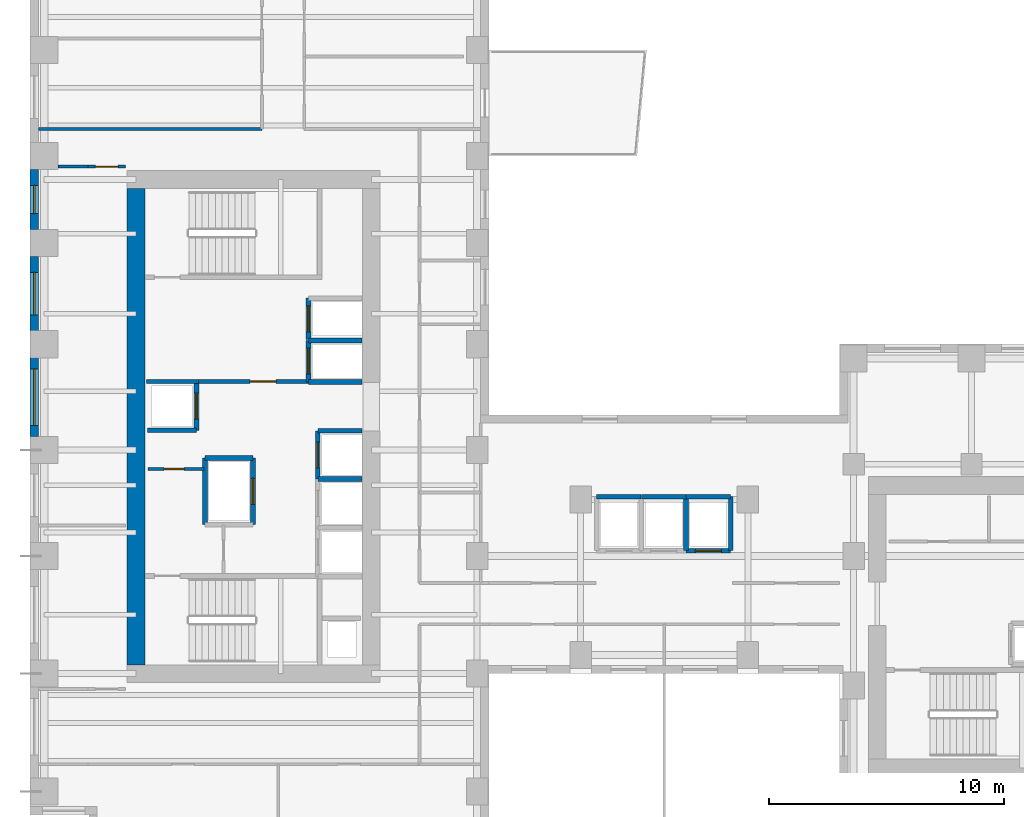
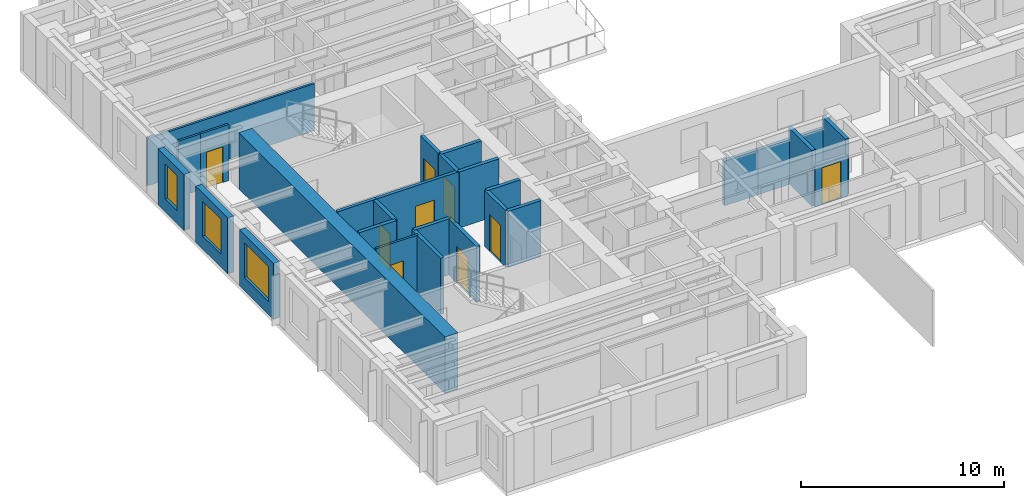
# One storey, part 5 of 11: 28 walls, 9 doors, 3 windows, 12 openings.
"""IFC4 building model written with IfcOpenShell, lengths in metres."""

from ifc_helpers import new_model, si_unit, direction, frame, frame_2d, origin, place, context, subcontext, project, spatial, rectangle, extrude, source, transform, mapped, material, layer, layer_set, type_object, element, fill, save


model = new_model("IFC4")

# Units and contexts
model_context = context("Model", 3, precision=1e-05, world=origin(), true_north=direction((0.0, 1.0)))
body_context = subcontext(model_context, "Body", "Model", "MODEL_VIEW")
ifc_project = project(units=[si_unit("LENGTHUNIT", "METRE"), si_unit("AREAUNIT", "SQUARE_METRE"), si_unit("VOLUMEUNIT", "CUBIC_METRE"), si_unit("PLANEANGLEUNIT", "RADIAN"), si_unit("MASSUNIT", "GRAM", prefix="KILO")], contexts=[model_context])

# Site, building, storey
site_placement = place(None, origin())
site = spatial("IfcSite", under=ifc_project, at=site_placement, CompositionType="ELEMENT")
building_placement = place(site_placement, origin())
building = spatial("IfcBuilding", under=site, at=building_placement, Name="Kharzan Plaza Tower", CompositionType="ELEMENT")
storey_placement = place(building_placement, frame((0.0, 0.0, 127.800048828125)))
storey = spatial("IfcBuildingStorey", under=building, at=storey_placement, Name="L34", CompositionType="ELEMENT", Elevation=127.800048828125)

# Wall, opening, window
ifc_material_1 = material(Name="Concrete C40/50", Category="concrete")
ifc_layer_1 = layer(ifc_material_1, 0.35009765625)
ifc_layer_set_1 = layer_set([ifc_layer_1], Name="Concrete C40/50")
wall_type_1 = type_object("IfcWallType", Name="WL-EXT-MAS-Z2", PredefinedType="SOLIDWALL", material=ifc_layer_set_1)
wall_1_placement = place(storey_placement, frame((0.175048828125, 29.927001953125, 0.0), z_axis=(0.0, 0.0, 1.0), x_axis=(0.0, -1.0, 0.0)))
wall_1 = element("IfcWall", 1, at=wall_1_placement, inside=storey, type_object=wall_type_1, Name="L34 Masonry-Frame Exterior Wall 20", PredefinedType="SOLIDWALL", context=body_context, shape_type="SweptSolid", body=[
    extrude(rectangle(XDim=2.553955078125, YDim=0.35009765625, at=frame_2d((1.27685546875, 0.0))), origin(), (0.0, 0.0, 1.0), 3.364990234375),
])
opening_1_placement = place(wall_1_placement, frame((0.677001953125, 0.0, 0.780029296875)))
opening_1 = element("IfcOpeningElement", 2, at=opening_1_placement, cuts=wall_1, Name="Opening W3", PredefinedType="OPENING", context=body_context, shape_type="SweptSolid", body=[
    extrude(rectangle(XDim=1.199951171875, YDim=2.10009765625, at=frame_2d((0.60009765625, 1.050048828125))), frame((0.0, 0.18505859375, 0.0), z_axis=(0.0, -1.0, 0.0), x_axis=(1.0, 0.0, 0.0)), (0.0, 0.0, 1.0), 0.3701171875),
])
ifc_material_2 = material(Name="Low-E Double Glazing", Category="glass")
window_type_1 = type_object("IfcWindowType", Name="WN-REC-1200x2100", PartitioningType="SINGLE_PANEL", PredefinedType="WINDOW", material=ifc_material_2)
shared_shape_1 = source(origin(), body_context, "Body", "SweptSolid", [
    extrude(rectangle(XDim=1.199951171875, YDim=2.10009765625, at=frame_2d((0.60009765625, 1.050048828125))), frame((0.0, 0.030029296875, 0.0), z_axis=(0.0, -1.0, 0.0), x_axis=(1.0, 0.0, 0.0)), (0.0, 0.0, 1.0), 0.06005859375),
])
window_1_placement = place(opening_1_placement, origin())
window_1 = element("IfcWindow", 3, at=window_1_placement, inside=storey, type_object=window_type_1, Name="L34 Recessed Solar-Control Window 20-1", OverallHeight=2.10009765625, OverallWidth=1.199951171875, PartitioningType="SINGLE_PANEL", PredefinedType="WINDOW", context=body_context, shape_type="MappedRepresentation", body=[
    mapped(shared_shape_1, transform((0.0, 0.0, 0.0), x_axis=(1.0, 0.0, 0.0), y_axis=(0.0, 1.0, 0.0), z_axis=(0.0, 0.0, 1.0))),
])
fill(opening_1, window_1)

wall_2_placement = place(storey_placement, frame((0.175048828125, 26.22705078125, 0.0), z_axis=(0.0, 0.0, 1.0), x_axis=(0.0, -1.0, 0.0)))
wall_2 = element("IfcWall", 4, at=wall_2_placement, inside=storey, type_object=wall_type_1, Name="L34 Masonry-Frame Exterior Wall 21", PredefinedType="SOLIDWALL", context=body_context, shape_type="SweptSolid", body=[
    extrude(rectangle(XDim=3.154052734375, YDim=0.35009765625, at=frame_2d((1.5771484375, 0.0))), origin(), (0.0, 0.0, 1.0), 3.364990234375),
])
opening_2_placement = place(wall_2_placement, frame((0.677001953125, 0.0, 0.780029296875)))
opening_2 = element("IfcOpeningElement", 5, at=opening_2_placement, cuts=wall_2, Name="Opening W1", PredefinedType="OPENING", context=body_context, shape_type="SweptSolid", body=[
    extrude(rectangle(XDim=1.800048828125, YDim=2.10009765625, at=frame_2d((0.89990234375, 1.050048828125))), frame((0.0, 0.18505859375, 0.0), z_axis=(0.0, -1.0, 0.0), x_axis=(1.0, 0.0, 0.0)), (0.0, 0.0, 1.0), 0.3701171875),
])
window_type_2 = type_object("IfcWindowType", Name="WN-REC-1800x2100", PartitioningType="SINGLE_PANEL", PredefinedType="WINDOW", material=ifc_material_2)
shared_shape_2 = source(origin(), body_context, "Body", "SweptSolid", [
    extrude(rectangle(XDim=1.800048828125, YDim=2.10009765625, at=frame_2d((0.89990234375, 1.050048828125))), frame((0.0, 0.030029296875, 0.0), z_axis=(0.0, -1.0, 0.0), x_axis=(1.0, 0.0, 0.0)), (0.0, 0.0, 1.0), 0.06005859375),
])
window_2_placement = place(opening_2_placement, origin())
window_2 = element("IfcWindow", 6, at=window_2_placement, inside=storey, type_object=window_type_2, Name="L34 Recessed Solar-Control Window 21-1", OverallHeight=2.10009765625, OverallWidth=1.800048828125, PartitioningType="SINGLE_PANEL", PredefinedType="WINDOW", context=body_context, shape_type="MappedRepresentation", body=[
    mapped(shared_shape_2, transform((0.0, 0.0, 0.0), x_axis=(1.0, 0.0, 0.0), y_axis=(0.0, 1.0, 0.0), z_axis=(0.0, 0.0, 1.0))),
])
fill(opening_2, window_2)

wall_3_placement = place(storey_placement, frame((0.175048828125, 21.927001953125, 0.0), z_axis=(0.0, 0.0, 1.0), x_axis=(0.0, -1.0, 0.0)))
wall_3 = element("IfcWall", 7, at=wall_3_placement, inside=storey, type_object=wall_type_1, Name="L34 Masonry-Frame Exterior Wall 22", PredefinedType="SOLIDWALL", context=body_context, shape_type="SweptSolid", body=[
    extrude(rectangle(XDim=3.35400390625, YDim=0.35009765625, at=frame_2d((1.677001953125, 0.0))), origin(), (0.0, 0.0, 1.0), 3.364990234375),
])
opening_3_placement = place(wall_3_placement, frame((0.47705078125, 0.0, 0.780029296875)))
opening_3 = element("IfcOpeningElement", 8, at=opening_3_placement, cuts=wall_3, Name="Opening W2", PredefinedType="OPENING", context=body_context, shape_type="SweptSolid", body=[
    extrude(rectangle(XDim=2.39990234375, YDim=2.10009765625, at=frame_2d((1.199951171875, 1.050048828125))), frame((0.0, 0.18505859375, 0.0), z_axis=(0.0, -1.0, 0.0), x_axis=(1.0, 0.0, 0.0)), (0.0, 0.0, 1.0), 0.3701171875),
])
window_type_3 = type_object("IfcWindowType", Name="WN-REC-2400x2100", PartitioningType="SINGLE_PANEL", PredefinedType="WINDOW", material=ifc_material_2)
shared_shape_3 = source(origin(), body_context, "Body", "SweptSolid", [
    extrude(rectangle(XDim=2.39990234375, YDim=2.10009765625, at=frame_2d((1.199951171875, 1.050048828125))), frame((0.0, 0.030029296875, 0.0), z_axis=(0.0, -1.0, 0.0), x_axis=(1.0, 0.0, 0.0)), (0.0, 0.0, 1.0), 0.06005859375),
])
window_3_placement = place(opening_3_placement, origin())
window_3 = element("IfcWindow", 9, at=window_3_placement, inside=storey, type_object=window_type_3, Name="L34 Wide Recessed Solar-Control Window 22-1", OverallHeight=2.10009765625, OverallWidth=2.39990234375, PartitioningType="SINGLE_PANEL", PredefinedType="WINDOW", context=body_context, shape_type="MappedRepresentation", body=[
    mapped(shared_shape_3, transform((0.0, 0.0, 0.0), x_axis=(1.0, 0.0, 0.0), y_axis=(0.0, 1.0, 0.0), z_axis=(0.0, 0.0, 1.0))),
])
fill(opening_3, window_3)

# Wall, opening, door
ifc_layer_2 = layer(ifc_material_1, 0.179931640625)
ifc_layer_set_2 = layer_set([ifc_layer_2], Name="Concrete C40/50")
wall_type_2 = type_object("IfcWallType", Name="WL-INT-FIRE-180", PredefinedType="PARTITIONING", material=ifc_layer_set_2)
wall_4_placement = place(storey_placement, frame((7.14990234375, 20.919921875, 0.0), z_axis=(0.0, 0.0, 1.0), x_axis=(1.0, 0.0, 0.0)))
wall_4 = element("IfcWall", 10, at=wall_4_placement, inside=storey, type_object=wall_type_2, Name="L34 Interior Partition CA-FF-S", PredefinedType="PARTITIONING", context=body_context, shape_type="SweptSolid", body=[
    extrude(rectangle(XDim=4.68017578125, YDim=0.179931640625, at=frame_2d((2.340087890625, 0.0))), origin(), (0.0, 0.0, 1.0), 3.364990234375),
])
opening_4_placement = place(wall_4_placement, frame((2.199951171875, 0.0, 0.0)))
opening_4 = element("IfcOpeningElement", 11, at=opening_4_placement, cuts=wall_4, Name="Opening FD1", PredefinedType="OPENING", context=body_context, shape_type="SweptSolid", body=[
    extrude(rectangle(XDim=1.10009765625, YDim=2.14990234375, at=frame_2d((0.550048828125, 1.074951171875))), frame((0.0, 0.099853515625, 0.0), z_axis=(0.0, -1.0, 0.0), x_axis=(1.0, 0.0, 0.0)), (0.0, 0.0, 1.0), 0.199951171875),
])
ifc_material_3 = material(Name="Fire-Rated Acoustic Vision-Panel Steel", Category="steel")
door_type_1 = type_object("IfcDoorType", Name="DR-FIRE-LOBBY", OperationType="NOTDEFINED", PredefinedType="DOOR", material=ifc_material_3)
shared_shape_4 = source(origin(), body_context, "Body", "SweptSolid", [
    extrude(rectangle(XDim=1.10009765625, YDim=2.14990234375, at=frame_2d((0.550048828125, 1.074951171875))), frame((0.0, 0.02490234375, 0.0), z_axis=(0.0, -1.0, 0.0), x_axis=(1.0, 0.0, 0.0)), (0.0, 0.0, 1.0), 0.050048828125),
])
door_1_placement = place(opening_4_placement, origin())
door_1 = element("IfcDoor", 12, at=door_1_placement, inside=storey, type_object=door_type_1, Name="L34 Firefighting Lobby Door", OperationType="SINGLE_SWING_RIGHT", OverallHeight=2.14990234375, OverallWidth=1.10009765625, PredefinedType="DOOR", context=body_context, shape_type="MappedRepresentation", body=[
    mapped(shared_shape_4, transform((0.0, 0.0, 0.0), x_axis=(1.0, 0.0, 0.0), y_axis=(0.0, 1.0, 0.0), z_axis=(0.0, 0.0, 1.0))),
])
fill(opening_4, door_1)

ifc_material_4 = material(Name="Fire-Rated Gypsum Board Partition", Category="gypsum")
ifc_layer_3 = layer(ifc_material_4, 0.125)
ifc_layer_set_3 = layer_set([ifc_layer_3], Name="Fire-Rated Gypsum Board Partition")
wall_type_3 = type_object("IfcWallType", Name="WL-INT-PART-125", PredefinedType="PARTITIONING", material=ifc_layer_set_3)
wall_5_placement = place(storey_placement, frame((5.0, 17.199951171875, 0.0), z_axis=(0.0, 0.0, 1.0), x_axis=(1.0, 0.0, 0.0)))
wall_5 = element("IfcWall", 13, at=wall_5_placement, inside=storey, type_object=wall_type_3, Name="L34 Interior Partition CA-K1N2", PredefinedType="PARTITIONING", context=body_context, shape_type="SweptSolid", body=[
    extrude(rectangle(XDim=2.39990234375, YDim=0.125, at=frame_2d((1.199951171875, 0.0))), origin(), (0.0, 0.0, 1.0), 3.364990234375),
])
opening_5_placement = place(wall_5_placement, frame((0.699951171875, 0.0, 0.0)))
opening_5 = element("IfcOpeningElement", 14, at=opening_5_placement, cuts=wall_5, Name="Opening RD1", PredefinedType="OPENING", context=body_context, shape_type="SweptSolid", body=[
    extrude(rectangle(XDim=0.85009765625, YDim=2.10009765625, at=frame_2d((0.425048828125, 1.050048828125))), frame((0.0, 0.072509765625, 0.0), z_axis=(0.0, -1.0, 0.0), x_axis=(1.0, 0.0, 0.0)), (0.0, 0.0, 1.0), 0.14501953125),
])
ifc_material_5 = material(Name="Powder-Coated Fire-Rated Steel", Category="steel")
door_type_2 = type_object("IfcDoorType", Name="DR-RISER-900", OperationType="NOTDEFINED", PredefinedType="DOOR", material=ifc_material_5)
shared_shape_5 = source(origin(), body_context, "Body", "SweptSolid", [
    extrude(rectangle(XDim=0.85009765625, YDim=2.10009765625, at=frame_2d((0.425048828125, 1.050048828125))), frame((0.0, 0.02490234375, 0.0), z_axis=(0.0, -1.0, 0.0), x_axis=(1.0, 0.0, 0.0)), (0.0, 0.0, 1.0), 0.050048828125),
])
door_2_placement = place(opening_5_placement, origin())
door_2 = element("IfcDoor", 15, at=door_2_placement, inside=storey, type_object=door_type_2, Name="L34 Core Storage Room Door", OperationType="SINGLE_SWING_LEFT", OverallHeight=2.10009765625, OverallWidth=0.85009765625, PredefinedType="DOOR", context=body_context, shape_type="MappedRepresentation", body=[
    mapped(shared_shape_5, transform((0.0, 0.0, 0.0), x_axis=(1.0, 0.0, 0.0), y_axis=(0.0, 1.0, 0.0), z_axis=(0.0, 0.0, 1.0))),
])
fill(opening_5, door_2)

wall_6_placement = place(storey_placement, frame((2.449951171875, 30.050048828125, 0.0), z_axis=(0.0, 0.0, 1.0), x_axis=(1.0, 0.0, 0.0)))
wall_6 = element("IfcWall", 16, at=wall_6_placement, inside=storey, type_object=wall_type_3, Name="L34 Interior Partition SH-RWND", PredefinedType="PARTITIONING", context=body_context, shape_type="SweptSolid", body=[
    extrude(rectangle(XDim=1.60009765625, YDim=0.125, at=frame_2d((0.800048828125, 0.0))), origin(), (0.0, 0.0, 1.0), 3.364990234375),
])
opening_6_placement = place(wall_6_placement, frame((0.324951171875, 0.0, 0.0)))
opening_6 = element("IfcOpeningElement", 17, at=opening_6_placement, cuts=wall_6, Name="Opening OD1", PredefinedType="OPENING", context=body_context, shape_type="SweptSolid", body=[
    extrude(rectangle(XDim=0.949951171875, YDim=2.14990234375, at=frame_2d((0.47509765625, 1.074951171875))), frame((0.0, 0.072509765625, 0.0), z_axis=(0.0, -1.0, 0.0), x_axis=(1.0, 0.0, 0.0)), (0.0, 0.0, 1.0), 0.14501953125),
])
ifc_material_6 = material(Name="Acoustic Solid-Core Stained Oak", Category="timber")
door_type_3 = type_object("IfcDoorType", Name="DR-OFF-SINGLE", OperationType="NOTDEFINED", PredefinedType="DOOR", material=ifc_material_6)
shared_shape_6 = source(origin(), body_context, "Body", "SweptSolid", [
    extrude(rectangle(XDim=0.949951171875, YDim=2.14990234375, at=frame_2d((0.47509765625, 1.074951171875))), frame((0.0, 0.02490234375, 0.0), z_axis=(0.0, -1.0, 0.0), x_axis=(1.0, 0.0, 0.0)), (0.0, 0.0, 1.0), 0.050048828125),
])
door_3_placement = place(opening_6_placement, origin())
door_3 = element("IfcDoor", 18, at=door_3_placement, inside=storey, type_object=door_type_3, Name="L34 West Office 2 Door", OperationType="SINGLE_SWING_LEFT", OverallHeight=2.14990234375, OverallWidth=0.949951171875, PredefinedType="DOOR", context=body_context, shape_type="MappedRepresentation", body=[
    mapped(shared_shape_6, transform((0.0, 0.0, 0.0), x_axis=(1.0, 0.0, 0.0), y_axis=(0.0, 1.0, 0.0), z_axis=(0.0, 0.0, 1.0))),
])
fill(opening_6, door_3)

ifc_layer_4 = layer(ifc_material_1, 0.199951171875)
ifc_layer_set_4 = layer_set([ifc_layer_4], Name="Concrete C40/50")
wall_type_4 = type_object("IfcWallType", Name="WL-INT-SHAFT-200", PredefinedType="PARTITIONING", material=ifc_layer_set_4)
wall_7_placement = place(storey_placement, frame((11.830078125, 20.89990234375, 0.0), z_axis=(0.0, 0.0, 1.0), x_axis=(0.0, 1.0, 0.0)))
wall_7 = element("IfcWall", 19, at=wall_7_placement, inside=storey, type_object=wall_type_4, Name="L34 Interior Partition SHF-FFL-1-W", PredefinedType="PARTITIONING", context=body_context, shape_type="SweptSolid", body=[
    extrude(rectangle(XDim=1.760009765625, YDim=0.199951171875, at=frame_2d((0.8798828125, 0.0))), origin(), (0.0, 0.0, 1.0), 3.364990234375),
])
opening_7_placement = place(wall_7_placement, frame((0.330078125, 0.0, 0.0)))
opening_7 = element("IfcOpeningElement", 20, at=opening_7_placement, cuts=wall_7, Name="Opening LD", PredefinedType="OPENING", context=body_context, shape_type="SweptSolid", body=[
    extrude(rectangle(XDim=1.10009765625, YDim=2.199951171875, at=frame_2d((0.550048828125, 1.10009765625))), frame((0.0, 0.10986328125, 0.0), z_axis=(0.0, -1.0, 0.0), x_axis=(1.0, 0.0, 0.0)), (0.0, 0.0, 1.0), 0.219970703125),
])
ifc_material_7 = material(Name="Brushed Stainless Steel", Category="steel")
door_type_4 = type_object("IfcDoorType", Name="DR-LIFT-SLIDE", OperationType="SLIDING_TO_LEFT", PredefinedType="DOOR", material=ifc_material_7)
shared_shape_7 = source(origin(), body_context, "Body", "SweptSolid", [
    extrude(rectangle(XDim=1.10009765625, YDim=2.199951171875, at=frame_2d((0.550048828125, 1.10009765625))), frame((0.0, 0.02490234375, 0.0), z_axis=(0.0, -1.0, 0.0), x_axis=(1.0, 0.0, 0.0)), (0.0, 0.0, 1.0), 0.050048828125),
])
door_4_placement = place(opening_7_placement, origin())
door_4 = element("IfcDoor", 21, at=door_4_placement, inside=storey, type_object=door_type_4, Name="L34 Firefighting Lift FFL-1 Sliding Landing Door", OperationType="SLIDING_TO_LEFT", OverallHeight=2.199951171875, OverallWidth=1.10009765625, PredefinedType="DOOR", context=body_context, shape_type="MappedRepresentation", body=[
    mapped(shared_shape_7, transform((0.0, 0.0, 0.0), x_axis=(1.0, 0.0, 0.0), y_axis=(0.0, 1.0, 0.0), z_axis=(0.0, 0.0, 1.0))),
])
fill(opening_7, door_4)

wall_8_placement = place(storey_placement, frame((11.830078125, 22.699951171875, 0.0), z_axis=(0.0, 0.0, 1.0), x_axis=(0.0, 1.0, 0.0)))
wall_8 = element("IfcWall", 22, at=wall_8_placement, inside=storey, type_object=wall_type_4, Name="L34 Interior Partition SHF-FFL-2-W", PredefinedType="PARTITIONING", context=body_context, shape_type="SweptSolid", body=[
    extrude(rectangle(XDim=1.760009765625, YDim=0.199951171875, at=frame_2d((0.8798828125, 0.0))), origin(), (0.0, 0.0, 1.0), 3.364990234375),
])
opening_8_placement = place(wall_8_placement, frame((0.330078125, 0.0, 0.0)))
opening_8 = element("IfcOpeningElement", 23, at=opening_8_placement, cuts=wall_8, Name="Opening LD", PredefinedType="OPENING", context=body_context, shape_type="SweptSolid", body=[
    extrude(rectangle(XDim=1.10009765625, YDim=2.199951171875, at=frame_2d((0.550048828125, 1.10009765625))), frame((0.0, 0.10986328125, 0.0), z_axis=(0.0, -1.0, 0.0), x_axis=(1.0, 0.0, 0.0)), (0.0, 0.0, 1.0), 0.219970703125),
])
door_5_placement = place(opening_8_placement, origin())
door_5 = element("IfcDoor", 24, at=door_5_placement, inside=storey, type_object=door_type_4, Name="L34 Firefighting Lift FFL-2 Sliding Landing Door", OperationType="SLIDING_TO_LEFT", OverallHeight=2.199951171875, OverallWidth=1.10009765625, PredefinedType="DOOR", context=body_context, shape_type="MappedRepresentation", body=[
    mapped(shared_shape_7, transform((0.0, 0.0, 0.0), x_axis=(1.0, 0.0, 0.0), y_axis=(0.0, 1.0, 0.0), z_axis=(0.0, 0.0, 1.0))),
])
fill(opening_8, door_5)

wall_9_placement = place(storey_placement, frame((12.22998046875, 16.77001953125, 0.0), z_axis=(0.0, 0.0, 1.0), x_axis=(0.0, 1.0, 0.0)))
wall_9 = element("IfcWall", 25, at=wall_9_placement, inside=storey, type_object=wall_type_4, Name="L34 Interior Partition SHF-PL-H3-W", PredefinedType="PARTITIONING", context=body_context, shape_type="SweptSolid", body=[
    extrude(rectangle(XDim=2.050048828125, YDim=0.199951171875, at=frame_2d((1.02490234375, 0.0))), origin(), (0.0, 0.0, 1.0), 3.364990234375),
])
opening_9_placement = place(wall_9_placement, frame((0.47509765625, 0.0, 0.0)))
opening_9 = element("IfcOpeningElement", 26, at=opening_9_placement, cuts=wall_9, Name="Opening LD", PredefinedType="OPENING", context=body_context, shape_type="SweptSolid", body=[
    extrude(rectangle(XDim=1.10009765625, YDim=2.199951171875, at=frame_2d((0.550048828125, 1.10009765625))), frame((0.0, 0.10986328125, 0.0), z_axis=(0.0, -1.0, 0.0), x_axis=(1.0, 0.0, 0.0)), (0.0, 0.0, 1.0), 0.219970703125),
])
door_6_placement = place(opening_9_placement, origin())
door_6 = element("IfcDoor", 27, at=door_6_placement, inside=storey, type_object=door_type_4, Name="L34 High-Rise Passenger Lift PL-H3 Sliding Landing Door", OperationType="SLIDING_TO_LEFT", OverallHeight=2.199951171875, OverallWidth=1.10009765625, PredefinedType="DOOR", context=body_context, shape_type="MappedRepresentation", body=[
    mapped(shared_shape_7, transform((0.0, 0.0, 0.0), x_axis=(1.0, 0.0, 0.0), y_axis=(0.0, 1.0, 0.0), z_axis=(0.0, 0.0, 1.0))),
])
fill(opening_9, door_6)

wall_10_placement = place(storey_placement, frame((7.070068359375, 18.840087890625, 0.0), z_axis=(0.0, 0.0, 1.0), x_axis=(0.0, 1.0, 0.0)))
wall_10 = element("IfcWall", 28, at=wall_10_placement, inside=storey, type_object=wall_type_4, Name="L34 Interior Partition SHF-PL-H4-E", PredefinedType="PARTITIONING", context=body_context, shape_type="SweptSolid", body=[
    extrude(rectangle(XDim=2.059814453125, YDim=0.199951171875, at=frame_2d((1.02978515625, 0.0))), origin(), (0.0, 0.0, 1.0), 3.364990234375),
])
opening_10_placement = place(wall_10_placement, frame((0.47998046875, 0.0, 0.0)))
opening_10 = element("IfcOpeningElement", 29, at=opening_10_placement, cuts=wall_10, Name="Opening LD", PredefinedType="OPENING", context=body_context, shape_type="SweptSolid", body=[
    extrude(rectangle(XDim=1.10009765625, YDim=2.199951171875, at=frame_2d((0.550048828125, 1.10009765625))), frame((0.0, 0.10986328125, 0.0), z_axis=(0.0, -1.0, 0.0), x_axis=(1.0, 0.0, 0.0)), (0.0, 0.0, 1.0), 0.219970703125),
])
door_7_placement = place(opening_10_placement, origin())
door_7 = element("IfcDoor", 30, at=door_7_placement, inside=storey, type_object=door_type_4, Name="L34 High-Rise Passenger Lift PL-H4 Sliding Landing Door", OperationType="SLIDING_TO_LEFT", OverallHeight=2.199951171875, OverallWidth=1.10009765625, PredefinedType="DOOR", context=body_context, shape_type="MappedRepresentation", body=[
    mapped(shared_shape_7, transform((0.0, 0.0, 0.0), x_axis=(1.0, 0.0, 0.0), y_axis=(0.0, 1.0, 0.0), z_axis=(0.0, 0.0, 1.0))),
])
fill(opening_10, door_7)

wall_11_placement = place(storey_placement, frame((27.8798828125, 13.72998046875, 0.0), z_axis=(0.0, 0.0, 1.0), x_axis=(1.0, 0.0, 0.0)))
wall_11 = element("IfcWall", 31, at=wall_11_placement, inside=storey, type_object=wall_type_4, Name="L34 Interior Partition SHF-PL-M3-S", PredefinedType="PARTITIONING", context=body_context, shape_type="SweptSolid", body=[
    extrude(rectangle(XDim=1.89013671875, YDim=0.199951171875, at=frame_2d((0.945068359375, 0.0))), origin(), (0.0, 0.0, 1.0), 2.446044921875),
])
opening_11_placement = place(wall_11_placement, frame((0.39501953125, 0.0, 0.0)))
opening_11 = element("IfcOpeningElement", 32, at=opening_11_placement, cuts=wall_11, Name="Opening LD", PredefinedType="OPENING", context=body_context, shape_type="SweptSolid", body=[
    extrude(rectangle(XDim=1.10009765625, YDim=2.199951171875, at=frame_2d((0.550048828125, 1.10009765625))), frame((0.0, 0.10986328125, 0.0), z_axis=(0.0, -1.0, 0.0), x_axis=(1.0, 0.0, 0.0)), (0.0, 0.0, 1.0), 0.219970703125),
])
door_8_placement = place(opening_11_placement, origin())
door_8 = element("IfcDoor", 33, at=door_8_placement, inside=storey, type_object=door_type_4, Name="L34 Mid-Rise Passenger Lift PL-M3 Sliding Landing Door", OperationType="SLIDING_TO_LEFT", OverallHeight=2.199951171875, OverallWidth=1.10009765625, PredefinedType="DOOR", context=body_context, shape_type="MappedRepresentation", body=[
    mapped(shared_shape_7, transform((0.0, 0.0, 0.0), x_axis=(1.0, 0.0, 0.0), y_axis=(0.0, 1.0, 0.0), z_axis=(0.0, 0.0, 1.0))),
])
fill(opening_11, door_8)

wall_12_placement = place(storey_placement, frame((9.469970703125, 14.830078125, 0.0), z_axis=(0.0, 0.0, 1.0), x_axis=(0.0, 1.0, 0.0)))
wall_12 = element("IfcWall", 34, at=wall_12_placement, inside=storey, type_object=wall_type_4, Name="L34 Interior Partition SHF-SVL-1-E", PredefinedType="PARTITIONING", context=body_context, shape_type="SweptSolid", body=[
    extrude(rectangle(XDim=2.83984375, YDim=0.199951171875, at=frame_2d((1.419921875, 0.0))), origin(), (0.0, 0.0, 1.0), 3.364990234375),
])
opening_12_placement = place(wall_12_placement, frame((0.8701171875, 0.0, 0.0)))
opening_12 = element("IfcOpeningElement", 35, at=opening_12_placement, cuts=wall_12, Name="Opening LD", PredefinedType="OPENING", context=body_context, shape_type="SweptSolid", body=[
    extrude(rectangle(XDim=1.10009765625, YDim=2.199951171875, at=frame_2d((0.550048828125, 1.10009765625))), frame((0.0, 0.10986328125, 0.0), z_axis=(0.0, -1.0, 0.0), x_axis=(1.0, 0.0, 0.0)), (0.0, 0.0, 1.0), 0.219970703125),
])
door_9_placement = place(opening_12_placement, origin())
door_9 = element("IfcDoor", 36, at=door_9_placement, inside=storey, type_object=door_type_4, Name="L34 Service Lift SVL-1 Sliding Landing Door", OperationType="SLIDING_TO_LEFT", OverallHeight=2.199951171875, OverallWidth=1.10009765625, PredefinedType="DOOR", context=body_context, shape_type="MappedRepresentation", body=[
    mapped(shared_shape_7, transform((0.0, 0.0, 0.0), x_axis=(1.0, 0.0, 0.0), y_axis=(0.0, 1.0, 0.0), z_axis=(0.0, 0.0, 1.0))),
])
fill(opening_12, door_9)

# Walls
shared_shape_8 = source(origin(), body_context, "Body", "SweptSolid", [
    extrude(rectangle(XDim=2.090087890625, YDim=0.199951171875, at=frame_2d((1.044921875, 0.0))), origin(), (0.0, 0.0, 1.0), 3.364990234375),
])
wall_13_placement = place(storey_placement, frame((4.97998046875, 18.840087890625, 0.0), z_axis=(0.0, 0.0, 1.0), x_axis=(1.0, 0.0, 0.0)))
element("IfcWall", 37, at=wall_13_placement, inside=storey, type_object=wall_type_4, Name="L34 Interior Partition SHF-PL-H4-S", PredefinedType="PARTITIONING", context=body_context, shape_type="MappedRepresentation", body=[
    mapped(shared_shape_8, transform((0.0, 0.0, 0.0), x_axis=(1.0, 0.0, 0.0), y_axis=(0.0, 1.0, 0.0), z_axis=(0.0, 0.0, 1.0))),
])
shared_shape_9 = source(origin(), body_context, "Body", "SweptSolid", [
    extrude(rectangle(XDim=2.2900390625, YDim=0.199951171875, at=frame_2d((1.14501953125, 0.0))), origin(), (0.0, 0.0, 1.0), 3.364990234375),
])
for number, where, z_axis, x_axis, name in (
    (38, (27.8701171875, 13.72998046875, 0.0), (0.0, 0.0, 1.0), (0.0, 1.0, 0.0), "L34 Interior Partition SHF-PL-M2-E"),
    (39, (29.77001953125, 13.72998046875, 0.0), (0.0, 0.0, 1.0), (0.0, 1.0, 0.0), "L34 Interior Partition SHF-PL-M3-E"),
):
    element("IfcWall", number, at=place(storey_placement, frame(where, z_axis=z_axis, x_axis=x_axis)), inside=storey, type_object=wall_type_4, Name=name, PredefinedType="PARTITIONING", context=body_context, shape_type="MappedRepresentation", body=[
        mapped(shared_shape_9, transform((0.0, 0.0, 0.0), x_axis=(1.0, 0.0, 0.0), y_axis=(0.0, 1.0, 0.0), z_axis=(0.0, 0.0, 1.0))),
    ])
shared_shape_10 = source(origin(), body_context, "Body", "SweptSolid", [
    extrude(rectangle(XDim=2.0400390625, YDim=0.199951171875, at=frame_2d((1.02001953125, 0.0))), origin(), (0.0, 0.0, 1.0), 3.364990234375),
])
wall_14_placement = place(storey_placement, frame((7.429931640625, 17.669921875, 0.0), z_axis=(0.0, 0.0, 1.0), x_axis=(1.0, 0.0, 0.0)))
element("IfcWall", 40, at=wall_14_placement, inside=storey, type_object=wall_type_4, Name="L34 Interior Partition SHF-SVL-1-N", PredefinedType="PARTITIONING", context=body_context, shape_type="MappedRepresentation", body=[
    mapped(shared_shape_10, transform((0.0, 0.0, 0.0), x_axis=(1.0, 0.0, 0.0), y_axis=(0.0, 1.0, 0.0), z_axis=(0.0, 0.0, 1.0))),
])
shared_shape_11 = source(origin(), body_context, "Body", "SweptSolid", [
    extrude(rectangle(XDim=2.83984375, YDim=0.199951171875, at=frame_2d((1.419921875, 0.0))), origin(), (0.0, 0.0, 1.0), 3.364990234375),
])
wall_15_placement = place(storey_placement, frame((7.429931640625, 14.830078125, 0.0), z_axis=(0.0, 0.0, 1.0), x_axis=(0.0, 1.0, 0.0)))
element("IfcWall", 41, at=wall_15_placement, inside=storey, type_object=wall_type_4, Name="L34 Interior Partition SHF-SVL-1-W", PredefinedType="PARTITIONING", context=body_context, shape_type="MappedRepresentation", body=[
    mapped(shared_shape_11, transform((0.0, 0.0, 0.0), x_axis=(1.0, 0.0, 0.0), y_axis=(0.0, 1.0, 0.0), z_axis=(0.0, 0.0, 1.0))),
])
shared_shape_12 = source(origin(), body_context, "Body", "SweptSolid", [
    extrude(rectangle(XDim=9.498046875, YDim=0.125, at=frame_2d((4.7490234375, 0.0))), origin(), (0.0, 0.0, 1.0), 2.827880859375),
])
wall_16_placement = place(storey_placement, frame((0.35205078125, 31.64990234375, 0.0), z_axis=(0.0, 0.0, 1.0), x_axis=(1.0, 0.0, 0.0)))
element("IfcWall", 42, at=wall_16_placement, inside=storey, type_object=wall_type_3, Name="L34 Interior Partition SH-NNW", PredefinedType="PARTITIONING", context=body_context, shape_type="MappedRepresentation", body=[
    mapped(shared_shape_12, transform((0.0, 0.0, 0.0), x_axis=(1.0, 0.0, 0.0), y_axis=(0.0, 1.0, 0.0), z_axis=(0.0, 0.0, 1.0))),
])
shared_shape_13 = source(origin(), body_context, "Body", "SweptSolid", [
    extrude(rectangle(XDim=2.199951171875, YDim=0.179931640625, at=frame_2d((1.10009765625, 0.0))), origin(), (0.0, 0.0, 1.0), 3.364990234375),
])
wall_17_placement = place(storey_placement, frame((4.949951171875, 20.919921875, 0.0), z_axis=(0.0, 0.0, 1.0), x_axis=(1.0, 0.0, 0.0)))
element("IfcWall", 43, at=wall_17_placement, inside=storey, type_object=wall_type_2, Name="L34 Interior Partition CA-FF-SW", PredefinedType="PARTITIONING", context=body_context, shape_type="MappedRepresentation", body=[
    mapped(shared_shape_13, transform((0.0, 0.0, 0.0), x_axis=(1.0, 0.0, 0.0), y_axis=(0.0, 1.0, 0.0), z_axis=(0.0, 0.0, 1.0))),
])
shared_shape_14 = source(origin(), body_context, "Body", "SweptSolid", [
    extrude(rectangle(XDim=1.260009765625, YDim=0.125, at=frame_2d((0.6298828125, 0.0))), origin(), (0.0, 0.0, 1.0), 3.364990234375),
])
wall_18_placement = place(storey_placement, frame((1.18994140625, 30.050048828125, 0.0), z_axis=(0.0, 0.0, 1.0), x_axis=(1.0, 0.0, 0.0)))
element("IfcWall", 44, at=wall_18_placement, inside=storey, type_object=wall_type_3, Name="L34 Interior Partition SH-RWN0", PredefinedType="PARTITIONING", context=body_context, shape_type="MappedRepresentation", body=[
    mapped(shared_shape_14, transform((0.0, 0.0, 0.0), x_axis=(1.0, 0.0, 0.0), y_axis=(0.0, 1.0, 0.0), z_axis=(0.0, 0.0, 1.0))),
])
shared_shape_15 = source(origin(), body_context, "Body", "SweptSolid", [
    extrude(rectangle(XDim=2.264892578125, YDim=0.199951171875, at=frame_2d((1.13232421875, 0.0))), origin(), (0.0, 0.0, 1.0), 3.364990234375),
])
for number, where, z_axis, x_axis, name in (
    (45, (11.830078125, 22.659912109375, 0.0), (0.0, 0.0, 1.0), (1.0, 0.0, 0.0), "L34 Interior Partition SHF-FFL-1-N"),
    (46, (11.830078125, 20.89990234375, 0.0), (0.0, 0.0, 1.0), (1.0, 0.0, 0.0), "L34 Interior Partition SHF-FFL-1-S"),
):
    element("IfcWall", number, at=place(storey_placement, frame(where, z_axis=z_axis, x_axis=x_axis)), inside=storey, type_object=wall_type_4, Name=name, PredefinedType="PARTITIONING", context=body_context, shape_type="MappedRepresentation", body=[
        mapped(shared_shape_15, transform((0.0, 0.0, 0.0), x_axis=(1.0, 0.0, 0.0), y_axis=(0.0, 1.0, 0.0), z_axis=(0.0, 0.0, 1.0))),
    ])
shared_shape_16 = source(origin(), body_context, "Body", "SweptSolid", [
    extrude(rectangle(XDim=1.864990234375, YDim=0.199951171875, at=frame_2d((0.9326171875, 0.0))), origin(), (0.0, 0.0, 1.0), 3.364990234375),
])
for number, where, z_axis, x_axis, name in (
    (47, (12.22998046875, 16.77001953125, 0.0), (0.0, 0.0, 1.0), (1.0, 0.0, 0.0), "L34 Interior Partition SHF-PL-H2-N"),
    (48, (12.22998046875, 18.820068359375, 0.0), (0.0, 0.0, 1.0), (1.0, 0.0, 0.0), "L34 Interior Partition SHF-PL-H3-N"),
):
    element("IfcWall", number, at=place(storey_placement, frame(where, z_axis=z_axis, x_axis=x_axis)), inside=storey, type_object=wall_type_4, Name=name, PredefinedType="PARTITIONING", context=body_context, shape_type="MappedRepresentation", body=[
        mapped(shared_shape_16, transform((0.0, 0.0, 0.0), x_axis=(1.0, 0.0, 0.0), y_axis=(0.0, 1.0, 0.0), z_axis=(0.0, 0.0, 1.0))),
    ])
shared_shape_17 = source(origin(), body_context, "Body", "SweptSolid", [
    extrude(rectangle(XDim=1.889892578125, YDim=0.199951171875, at=frame_2d((0.94482421875, 0.0))), origin(), (0.0, 0.0, 1.0), 2.677001953125),
])
wall_19_placement = place(storey_placement, frame((24.080078125, 16.02001953125, 0.0), z_axis=(0.0, 0.0, 1.0), x_axis=(1.0, 0.0, 0.0)))
element("IfcWall", 49, at=wall_19_placement, inside=storey, type_object=wall_type_4, Name="L34 Interior Partition SHF-PL-M1-N", PredefinedType="PARTITIONING", context=body_context, shape_type="MappedRepresentation", body=[
    mapped(shared_shape_17, transform((0.0, 0.0, 0.0), x_axis=(1.0, 0.0, 0.0), y_axis=(0.0, 1.0, 0.0), z_axis=(0.0, 0.0, 1.0))),
])
shared_shape_18 = source(origin(), body_context, "Body", "SweptSolid", [
    extrude(rectangle(XDim=1.89013671875, YDim=0.199951171875, at=frame_2d((0.945068359375, 0.0))), origin(), (0.0, 0.0, 1.0), 2.677001953125),
])
for number, where, z_axis, x_axis, name in (
    (50, (25.97998046875, 16.02001953125, 0.0), (0.0, 0.0, 1.0), (1.0, 0.0, 0.0), "L34 Interior Partition SHF-PL-M2-N"),
    (51, (27.8798828125, 16.02001953125, 0.0), (0.0, 0.0, 1.0), (1.0, 0.0, 0.0), "L34 Interior Partition SHF-PL-M3-N"),
):
    element("IfcWall", number, at=place(storey_placement, frame(where, z_axis=z_axis, x_axis=x_axis)), inside=storey, type_object=wall_type_4, Name=name, PredefinedType="PARTITIONING", context=body_context, shape_type="MappedRepresentation", body=[
        mapped(shared_shape_18, transform((0.0, 0.0, 0.0), x_axis=(1.0, 0.0, 0.0), y_axis=(0.0, 1.0, 0.0), z_axis=(0.0, 0.0, 1.0))),
    ])
ifc_material_8 = material(Name="Concrete C60/75", Category="concrete")
ifc_layer_5 = layer(ifc_material_8, 0.75)
ifc_layer_set_5 = layer_set([ifc_layer_5], Name="Concrete C60/75")
wall_type_5 = type_object("IfcWallType", Name="WL-CORE-750", PredefinedType="SHEAR", material=ifc_layer_set_5)
shared_shape_19 = source(origin(), body_context, "Body", "SweptSolid", [
    extrude(rectangle(XDim=20.25, YDim=0.75, at=frame_2d((10.125, 0.0))), origin(), (0.0, 0.0, 1.0), 3.3798828125),
])
wall_20_placement = place(storey_placement, frame((4.5, 8.875, 0.0), z_axis=(0.0, 0.0, 1.0), x_axis=(0.0, 1.0, 0.0)))
element("IfcWall", 52, at=wall_20_placement, inside=storey, type_object=wall_type_5, Name="L34 CORE-A west RC shear wall", PredefinedType="SHEAR", context=body_context, shape_type="MappedRepresentation", body=[
    mapped(shared_shape_19, transform((0.0, 0.0, 0.0), x_axis=(1.0, 0.0, 0.0), y_axis=(0.0, 1.0, 0.0), z_axis=(0.0, 0.0, 1.0))),
])

save(model, "model.ifc")
